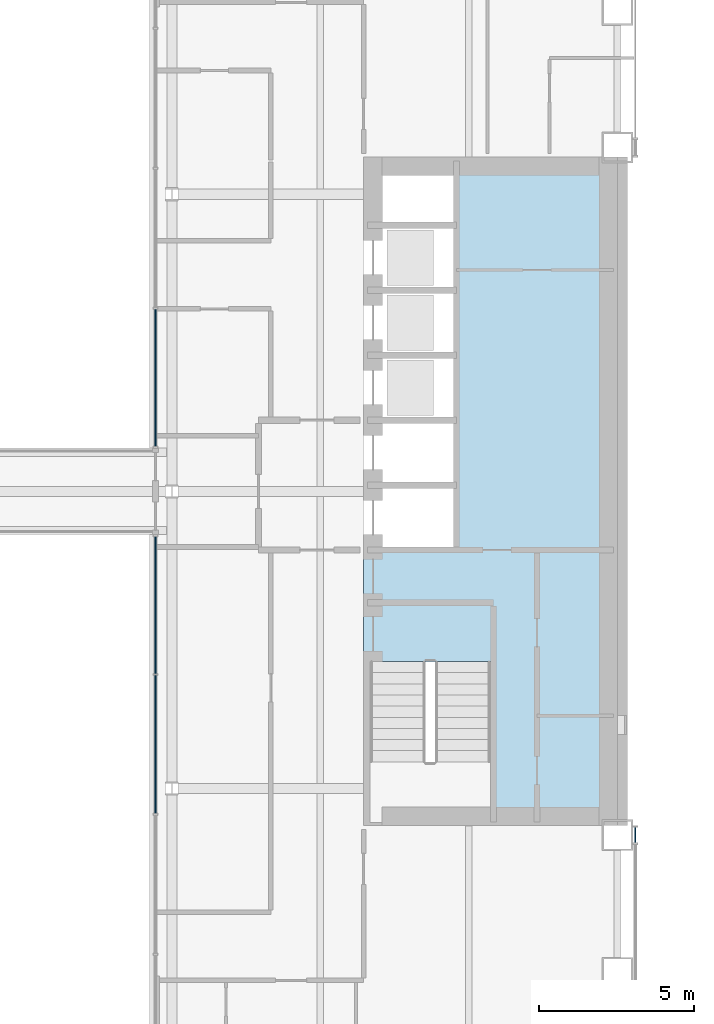
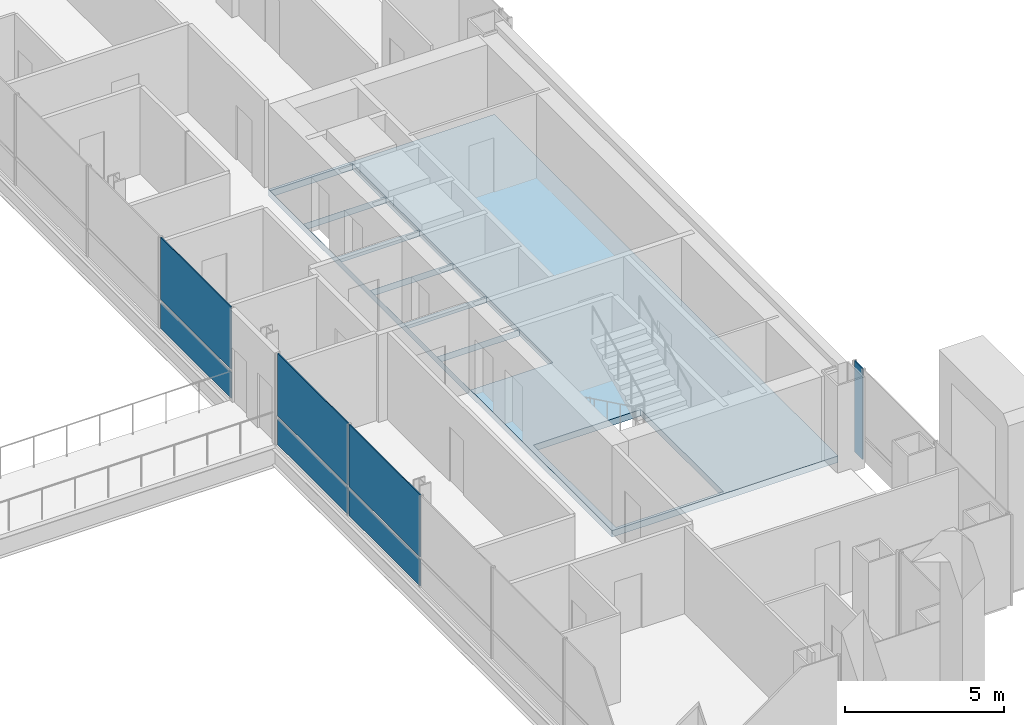
# One storey, part 11 of 21: 7 plates, 1 slab, 3 elements without a shape of their own.
"""IFC4 building model written with IfcOpenShell, lengths in metres."""

import ifcopenshell
import ifcopenshell.guid

model = None  # the IFC model being written
_history = None  # IfcOwnerHistory: only IFC2X3 demands one
_inside = {}  # id of a spatial element -> (the spatial element, [elements in it])
_under = {}  # id of a project, library or spatial element -> (it, [spatial elements below it])
_declared = {}  # id of a project -> (the project, [libraries it declares])
_typed = {}  # id of a type object -> (the type object, [elements of that type])
_made_of = {}  # id of a material, layer set ... -> (it, [elements and type objects made of it])


def new_model(schema):
    """Start an empty IFC model of exactly this schema.

    Asked for "IFC4X3", IfcOpenShell would pick the latest addendum, in which some entities
    have other attributes; the version numbers below select the first issue.
    IFC2X3 requires an IfcOwnerHistory on every rooted entity: one is made here for all.
    """
    global model, _history
    if schema == "IFC4X3":
        model = ifcopenshell.file(schema_version=(4, 3, 0, 0))
    else:
        model = ifcopenshell.file(schema=schema)
    _inside.clear()
    _under.clear()
    _declared.clear()
    _typed.clear()
    _made_of.clear()
    _history = None
    if model.schema == "IFC2X3":
        org = make("IfcOrganization", Name="unknown")
        user = make(
            "IfcPersonAndOrganization",
            ThePerson=make("IfcPerson", FamilyName="unknown"),
            TheOrganization=org,
        )
        app = make(
            "IfcApplication",
            ApplicationDeveloper=org,
            Version="unknown",
            ApplicationFullName="unknown",
            ApplicationIdentifier="unknown",
        )
        _history = make(
            "IfcOwnerHistory",
            OwningUser=user,
            OwningApplication=app,
            ChangeAction="ADDED",
            CreationDate=0,
        )
    return model


def make(cls, **values):
    """One entity of the class cls with the attributes given. An attribute that is None is left unset."""
    return model.create_entity(
        cls, **{name: value for name, value in values.items() if value is not None}
    )


def rooted(cls, **values):
    """An entity with a GlobalId (a new one), such as an element, a storey or a relation."""
    return make(cls, GlobalId=ifcopenshell.guid.new(), OwnerHistory=_history, **values)


def si_unit(unit_type, name, prefix=None):
    """IfcSIUnit, for example si_unit("LENGTHUNIT", "METRE", prefix="MILLI")."""
    return make("IfcSIUnit", UnitType=unit_type, Prefix=prefix, Name=name)


def assignment(units):
    """IfcUnitAssignment: the units of a project."""
    return None if units is None else make("IfcUnitAssignment", Units=units)


def point(xyz):
    """IfcCartesianPoint."""
    return None if xyz is None else make("IfcCartesianPoint", Coordinates=xyz)


def direction(xyz):
    """IfcDirection."""
    return None if xyz is None else make("IfcDirection", DirectionRatios=xyz)


def frame(location, z_axis=None, x_axis=None):
    """IfcAxis2Placement3D, a coordinate frame: its origin and axes. An axis left out is left unset."""
    return make(
        "IfcAxis2Placement3D",
        Location=point(location),
        Axis=direction(z_axis),
        RefDirection=direction(x_axis),
    )


def frame_2d(location, x_axis=None):
    """IfcAxis2Placement2D, a coordinate frame in the plane: its origin and x axis."""
    return make(
        "IfcAxis2Placement2D", Location=point(location), RefDirection=direction(x_axis)
    )


def origin():
    """The frame at (0, 0, 0) with its axes left unset."""
    return frame((0.0, 0.0, 0.0))


def origin_2d():
    """The frame at (0, 0) in the plane with its x axis left unset."""
    return frame_2d((0.0, 0.0))


def place(relative_to, where):
    """IfcLocalPlacement: puts the frame where relative to a parent placement (None: the world)."""
    return make(
        "IfcLocalPlacement", PlacementRelTo=relative_to, RelativePlacement=where
    )


def context(
    kind, dimensions, precision=None, world=None, true_north=None, identifier=None
):
    """IfcGeometricRepresentationContext, for example the 3D "Model" context."""
    return make(
        "IfcGeometricRepresentationContext",
        ContextIdentifier=identifier,
        ContextType=kind,
        CoordinateSpaceDimension=dimensions,
        Precision=precision,
        WorldCoordinateSystem=world,
        TrueNorth=true_north,
    )


def subcontext(parent, identifier, kind, view, scale=None):
    """IfcGeometricRepresentationSubContext, for example "Body" below "Model"."""
    return make(
        "IfcGeometricRepresentationSubContext",
        ContextIdentifier=identifier,
        ContextType=kind,
        ParentContext=parent,
        TargetScale=scale,
        TargetView=view,
    )


def project(units=None, contexts=None):
    """IfcProject with its units and contexts."""
    return rooted(
        "IfcProject",
        Name="project",
        RepresentationContexts=contexts,
        UnitsInContext=assignment(units),
    )


def spatial(cls, under=None, at=None, **own):
    """A site, building, storey or space (cls), placed at a placement, below another one or the project."""
    s = rooted(cls, ObjectPlacement=at, **own)
    if under is not None:
        _under.setdefault(under.id(), (under, []))[1].append(s)
    return s


def polyline(points):
    """IfcPolyline through the points."""
    return make("IfcPolyline", Points=[point(p) for p in points])


def profile(cls, at=None, kind="AREA", **sizes):
    """A parametric profile (cls). Its sizes go by their IFC names, for example OverallWidth=200.0."""
    return make(cls, ProfileType=kind, Position=at, **sizes)


def rectangle(**sizes):
    """IfcRectangleProfileDef."""
    return profile("IfcRectangleProfileDef", **sizes)


def outline(outer, holes=None, kind="AREA"):
    """IfcArbitraryClosedProfileDef: a profile drawn as a closed curve; with holes, ...WithVoids."""
    if holes is None:
        return make("IfcArbitraryClosedProfileDef", ProfileType=kind, OuterCurve=outer)
    return make(
        "IfcArbitraryProfileDefWithVoids",
        ProfileType=kind,
        OuterCurve=outer,
        InnerCurves=holes,
    )


def extrude(swept, where, along, depth):
    """IfcExtrudedAreaSolid: the profile swept, set in the frame where, extruded along a direction by depth."""
    return make(
        "IfcExtrudedAreaSolid",
        SweptArea=swept,
        Position=where,
        ExtrudedDirection=direction(along),
        Depth=depth,
    )


def shape(context_of_items, identifier, shape_type, items):
    """IfcShapeRepresentation: the items that make up one representation, for example the "Body"."""
    return make(
        "IfcShapeRepresentation",
        ContextOfItems=context_of_items,
        RepresentationIdentifier=identifier,
        RepresentationType=shape_type,
        Items=items,
    )


def material(Name=None, Category=None):
    """IfcMaterial."""
    return make("IfcMaterial", Name=Name, Category=Category)


def layer(
    of_material, thickness, ventilated=None, Name=None, Category=None, Priority=None
):
    """IfcMaterialLayer: one layer of a wall or slab, of a material (None: an air gap)."""
    return make(
        "IfcMaterialLayer",
        Material=of_material,
        LayerThickness=thickness,
        IsVentilated=ventilated,
        Name=Name,
        Category=Category,
        Priority=Priority,
    )


def layer_set(layers, Name=None):
    """IfcMaterialLayerSet."""
    return make("IfcMaterialLayerSet", MaterialLayers=layers, LayerSetName=Name)


def made_of(thing, what):
    """Note that an element or type object is made of a material, layer set ...; save() writes the relation."""
    if what is not None:
        _made_of.setdefault(what.id(), (what, []))[1].append(thing)
    return thing


def type_object(cls, material=None, **own):
    """A type object (cls), such as IfcWallType, which elements share."""
    return made_of(rooted(cls, **own), material)


def element(
    cls,
    number,
    at=None,
    inside=None,
    cuts=None,
    type_object=None,
    material=None,
    context=None,
    identifier="Body",
    shape_type=None,
    held_by="IfcProductDefinitionShape",
    body=None,
    shapes=None,
    **own,
):
    """One element of the class cls, such as IfcWall. Its Tag is "e" and its number.

    at: its placement. inside: the storey or other place that contains it. cuts: it is an
    opening in that element (IfcRelVoidsElement). A single representation is given by context,
    identifier, shape_type and body (its items); several are given by shapes. held_by: the class
    of the entity that holds the representations. save() writes the other relations.
    """
    e = rooted(cls, Tag="e%d" % number, ObjectPlacement=at, **own)
    if body is not None:
        shapes = [shape(context, identifier, shape_type, body)]
    if shapes is not None:
        e.Representation = make(held_by, Representations=shapes)
    if inside is not None:
        _inside.setdefault(inside.id(), (inside, []))[1].append(e)
    if cuts is not None:
        rooted(
            "IfcRelVoidsElement", RelatingBuildingElement=cuts, RelatedOpeningElement=e
        )
    if type_object is not None:
        _typed.setdefault(type_object.id(), (type_object, []))[1].append(e)
    return made_of(e, material)


def aggregate(whole, parts):
    """IfcRelAggregates: a whole, such as a stair, and the parts it consists of."""
    return rooted("IfcRelAggregates", RelatingObject=whole, RelatedObjects=parts)


def save(model, path):
    """Write the relations noted so far, then the file.

    IfcRelAggregates (storeys below a building ...), IfcRelContainedInSpatialStructure (elements
    in a storey), IfcRelDefinesByType, IfcRelAssociatesMaterial and IfcRelDeclares: one each for
    every whole, place, type object, material and project.
    """
    for whole, parts in _under.values():
        aggregate(whole, parts)
    for where, things in _inside.values():
        rooted(
            "IfcRelContainedInSpatialStructure",
            RelatedElements=things,
            RelatingStructure=where,
        )
    for kind, things in _typed.values():
        rooted("IfcRelDefinesByType", RelatedObjects=things, RelatingType=kind)
    for what, things in _made_of.values():
        rooted("IfcRelAssociatesMaterial", RelatedObjects=things, RelatingMaterial=what)
    for by, libraries in _declared.values():
        rooted("IfcRelDeclares", RelatingContext=by, RelatedDefinitions=libraries)
    model.write(path)


model = new_model("IFC4")

# Units and contexts
model_context = context("Model", 3, precision=1e-05, world=origin(), true_north=direction((0.0, 1.0)))
body_context = subcontext(model_context, "Body", "Model", "MODEL_VIEW")
ifc_project = project(units=[si_unit("LENGTHUNIT", "METRE"), si_unit("AREAUNIT", "SQUARE_METRE"), si_unit("VOLUMEUNIT", "CUBIC_METRE"), si_unit("PLANEANGLEUNIT", "RADIAN"), si_unit("MASSUNIT", "GRAM", prefix="KILO")], contexts=[model_context])

# Site, building, storey
site_placement = place(None, origin())
site = spatial("IfcSite", under=ifc_project, at=site_placement, CompositionType="ELEMENT")
building_placement = place(site_placement, origin())
building = spatial("IfcBuilding", under=site, at=building_placement, Name="Cobrizo Arcos Hotel Tower", CompositionType="ELEMENT")
storey_placement = place(building_placement, frame((0.0, 0.0, 74.0)))
storey = spatial("IfcBuildingStorey", under=building, at=storey_placement, Name="L17", CompositionType="ELEMENT", Elevation=74.0)

# Curtain wall, plate
ifc_material_1 = material(Name="Aluminium 6063-T6 anodised bronze", Category="aluminium")
curtain_wall_type_1 = type_object("IfcCurtainWallType", Name="CW-A guest facade", PredefinedType="NOTDEFINED", material=ifc_material_1)
curtain_wall_1_placement = place(storey_placement, origin())
curtain_wall_1 = element("IfcCurtainWall", 1, at=curtain_wall_1_placement, inside=storey, type_object=curtain_wall_type_1, Name="CW-A L17 E face", PredefinedType="NOTDEFINED")
ifc_material_2 = material(Name="Aluminium composite panel pale metal", Category="aluminium")
ifc_layer_1 = layer(ifc_material_2, 0.0400390625)
ifc_layer_set_1 = layer_set([ifc_layer_1], Name="CW-A spandrel panel")
plate_type_1 = type_object("IfcPlateType", Name="CW-A spandrel panel", PredefinedType="CURTAIN_PANEL", material=ifc_layer_set_1)
plate_1_placement = place(storey_placement, frame((24.574951171875, -11.109375, 0.0), z_axis=(0.0, 0.0, 1.0), x_axis=(0.0, 1.0, 0.0)))
plate_1 = element("IfcPlate", 2, at=plate_1_placement, type_object=plate_type_1, Name="CW-A spandrel panel 727", PredefinedType="CURTAIN_PANEL", context=body_context, shape_type="SweptSolid", body=[
    extrude(rectangle(XDim=0.498779296875, YDim=0.0400390625, at=origin_2d()), origin(), (0.0, 0.0, 1.0), 3.5),
])
aggregate(curtain_wall_1, [plate_1])

# Curtain wall, plates
curtain_wall_type_2 = type_object("IfcCurtainWallType", Name="CW-F void screen", PredefinedType="NOTDEFINED", material=ifc_material_1)
curtain_wall_2_placement = place(storey_placement, origin())
curtain_wall_2 = element("IfcCurtainWall", 3, at=curtain_wall_2_placement, inside=storey, type_object=curtain_wall_type_2, Name="CW-F L17 void screen A", PredefinedType="NOTDEFINED")
ifc_material_3 = material(Name="Glass clear laminated low-e", Category="glass")
ifc_layer_2 = layer(ifc_material_3, 0.0400390625)
ifc_layer_set_2 = layer_set([ifc_layer_2], Name="CW-F glass panel")
plate_type_2 = type_object("IfcPlateType", Name="CW-F glass panel", PredefinedType="CURTAIN_PANEL", material=ifc_layer_set_2)
plate_2_placement = place(storey_placement, frame((9.074951171875, -8.179931640625, 0.0), z_axis=(0.0, 0.0, 1.0), x_axis=(0.0, 1.0, 0.0)))
plate_2 = element("IfcPlate", 4, at=plate_2_placement, type_object=plate_type_2, Name="CW-F glass panel 2511", PredefinedType="CURTAIN_PANEL", context=body_context, shape_type="SweptSolid", body=[
    extrude(rectangle(XDim=4.4599609375, YDim=0.0400390625, at=origin_2d()), origin(), (0.0, 0.0, 1.0), 0.989990234375),
])
plate_3_placement = place(storey_placement, frame((9.074951171875, -8.179931640625, 1.10986328125), z_axis=(0.0, 0.0, 1.0), x_axis=(0.0, 1.0, 0.0)))
plate_3 = element("IfcPlate", 5, at=plate_3_placement, type_object=plate_type_2, Name="CW-F glass panel 2511", PredefinedType="CURTAIN_PANEL", context=body_context, shape_type="SweptSolid", body=[
    extrude(rectangle(XDim=4.4599609375, YDim=0.0400390625, at=origin_2d()), origin(), (0.0, 0.0, 1.0), 2.389892578125),
])
plate_4_placement = place(storey_placement, frame((9.074951171875, -3.675048828125, 0.0), z_axis=(0.0, 0.0, 1.0), x_axis=(0.0, 1.0, 0.0)))
plate_4 = element("IfcPlate", 6, at=plate_4_placement, type_object=plate_type_2, Name="CW-F glass panel 2512", PredefinedType="CURTAIN_PANEL", context=body_context, shape_type="SweptSolid", body=[
    extrude(rectangle(XDim=4.429931640625, YDim=0.0400390625, at=origin_2d()), origin(), (0.0, 0.0, 1.0), 0.989990234375),
])
plate_5_placement = place(storey_placement, frame((9.074951171875, -3.675048828125, 1.10986328125), z_axis=(0.0, 0.0, 1.0), x_axis=(0.0, 1.0, 0.0)))
plate_5 = element("IfcPlate", 7, at=plate_5_placement, type_object=plate_type_2, Name="CW-F glass panel 2512", PredefinedType="CURTAIN_PANEL", context=body_context, shape_type="SweptSolid", body=[
    extrude(rectangle(XDim=4.429931640625, YDim=0.0400390625, at=origin_2d()), origin(), (0.0, 0.0, 1.0), 2.389892578125),
])
aggregate(curtain_wall_2, [plate_2, plate_3, plate_4, plate_5])

curtain_wall_3_placement = place(storey_placement, origin())
curtain_wall_3 = element("IfcCurtainWall", 8, at=curtain_wall_3_placement, inside=storey, type_object=curtain_wall_type_2, Name="CW-F L17 void screen A", PredefinedType="NOTDEFINED")
plate_6_placement = place(storey_placement, frame((9.074951171875, 3.675048828125, 0.0), z_axis=(0.0, 0.0, 1.0), x_axis=(0.0, 1.0, 0.0)))
plate_6 = element("IfcPlate", 9, at=plate_6_placement, type_object=plate_type_2, Name="CW-F glass panel 2513", PredefinedType="CURTAIN_PANEL", context=body_context, shape_type="SweptSolid", body=[
    extrude(rectangle(XDim=4.429931640625, YDim=0.0400390625, at=origin_2d()), origin(), (0.0, 0.0, 1.0), 0.989990234375),
])
plate_7_placement = place(storey_placement, frame((9.074951171875, 3.675048828125, 1.10986328125), z_axis=(0.0, 0.0, 1.0), x_axis=(0.0, 1.0, 0.0)))
plate_7 = element("IfcPlate", 10, at=plate_7_placement, type_object=plate_type_2, Name="CW-F glass panel 2513", PredefinedType="CURTAIN_PANEL", context=body_context, shape_type="SweptSolid", body=[
    extrude(rectangle(XDim=4.429931640625, YDim=0.0400390625, at=origin_2d()), origin(), (0.0, 0.0, 1.0), 2.389892578125),
])
aggregate(curtain_wall_3, [plate_6, plate_7])

# Slab
ifc_material_4 = material(Name="Concrete f'c 60 MPa", Category="concrete")
ifc_layer_3 = layer(ifc_material_4, 0.25)
ifc_layer_set_3 = layer_set([ifc_layer_3], Name="RC core floor slab 250 f'c 60")
slab_type = type_object("IfcSlabType", Name="RC core floor slab 250 f'c 60", PredefinedType="FLOOR", material=ifc_layer_set_3)
slab_placement = place(storey_placement, frame((0.0, 0.0, -0.25)))
element("IfcSlab", 11, at=slab_placement, inside=storey, type_object=slab_type, Name="Core floor slab CS3, east core, L17", PredefinedType="FLOOR", context=body_context, shape_type="SweptSolid", body=[
    extrude(outline(polyline([(15.800048828125, 10.800048828125), (24.0, 10.800048828125), (24.0, -10.800048828125), (15.800048828125, -10.800048828125), (15.800048828125, 10.800048828125)]), holes=[polyline([(19.89794921875, -10.697998046875), (19.89794921875, -5.501953125), (16.001953125, -5.501953125), (16.001953125, -10.697998046875), (19.89794921875, -10.697998046875)]), polyline([(15.802001953125, 0.197998046875), (15.802001953125, -1.89794921875), (18.798095703125, -1.89794921875), (18.798095703125, 0.197998046875), (15.802001953125, 0.197998046875)]), polyline([(18.798095703125, 2.298095703125), (15.802001953125, 2.298095703125), (15.802001953125, 0.201904296875), (18.798095703125, 0.201904296875), (18.798095703125, 2.298095703125)]), polyline([(18.798095703125, 4.39794921875), (15.802001953125, 4.39794921875), (15.802001953125, 2.302001953125), (18.798095703125, 2.302001953125), (18.798095703125, 4.39794921875)]), polyline([(15.802001953125, 6.498046875), (15.802001953125, 4.402099609375), (18.798095703125, 4.402099609375), (18.798095703125, 6.498046875), (15.802001953125, 6.498046875)]), polyline([(18.798095703125, 8.597900390625), (15.802001953125, 8.597900390625), (15.802001953125, 6.501953125), (18.798095703125, 6.501953125), (18.798095703125, 8.597900390625)]), polyline([(18.798095703125, 10.697998046875), (15.802001953125, 10.697998046875), (15.802001953125, 8.60205078125), (18.798095703125, 8.60205078125), (18.798095703125, 10.697998046875)])]), origin(), (0.0, 0.0, 1.0), 0.25),
])

save(model, "model.ifc")
